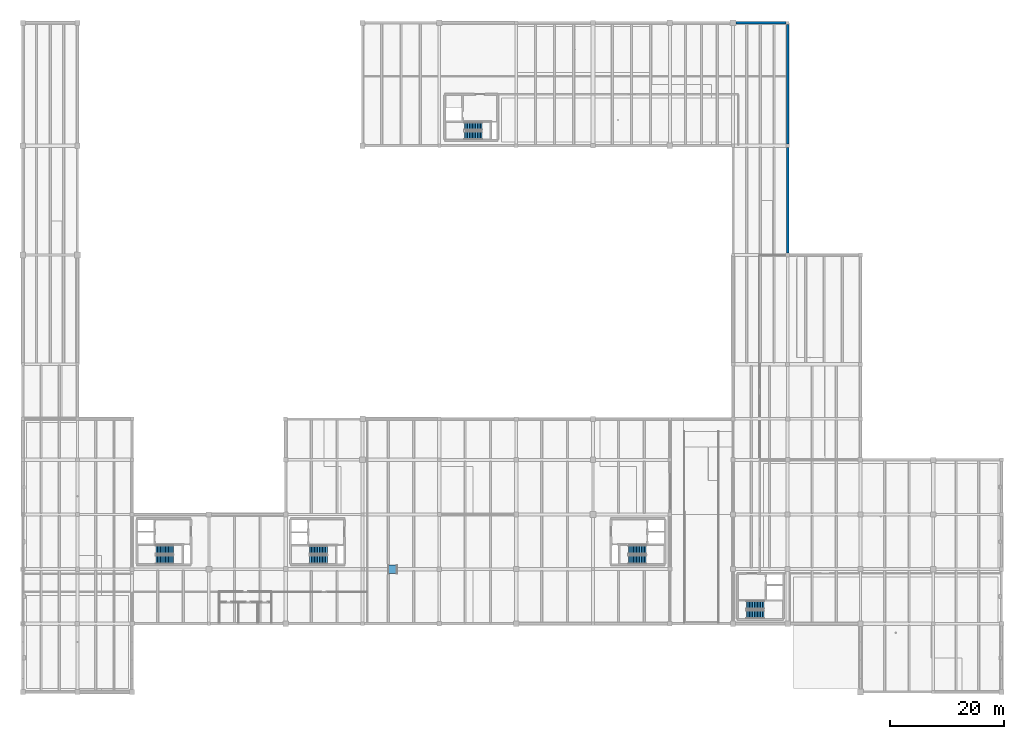
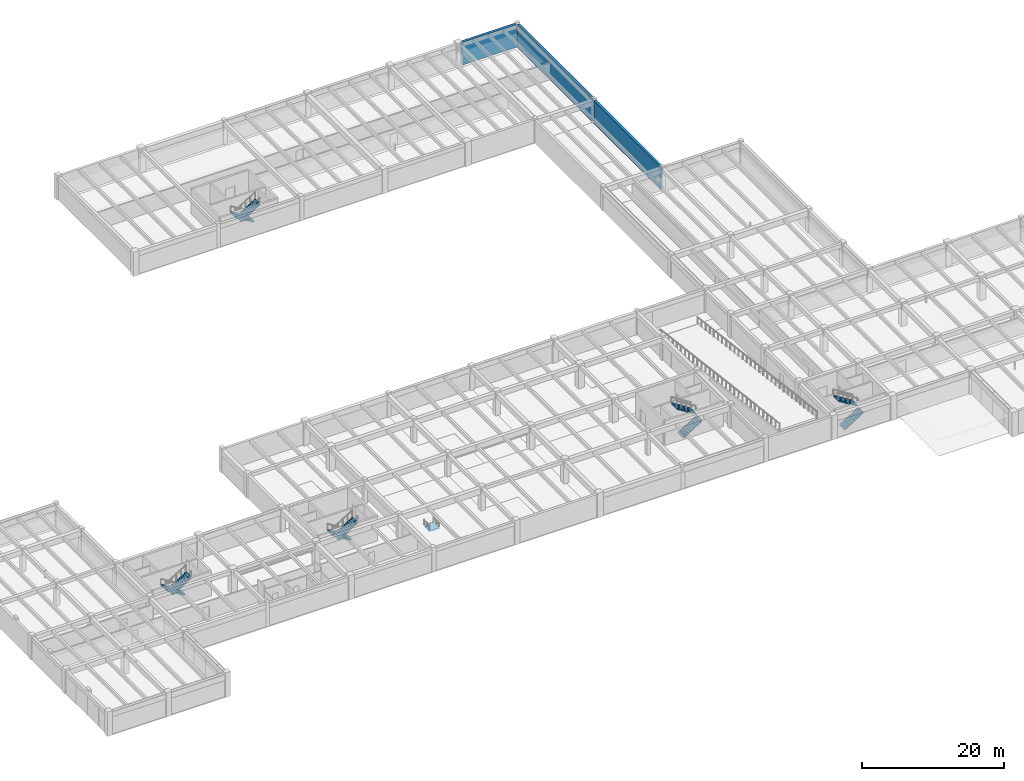
# One storey, part 15 of 28: 10 stair flights, 3 walls, 1 ramp flight, 6 elements without a shape of their own.
"""IFC4 building model written with IfcOpenShell, lengths in metres."""

import ifcopenshell
import ifcopenshell.guid

model = None  # the IFC model being written
_history = None  # IfcOwnerHistory: only IFC2X3 demands one
_inside = {}  # id of a spatial element -> (the spatial element, [elements in it])
_under = {}  # id of a project, library or spatial element -> (it, [spatial elements below it])
_declared = {}  # id of a project -> (the project, [libraries it declares])
_typed = {}  # id of a type object -> (the type object, [elements of that type])
_made_of = {}  # id of a material, layer set ... -> (it, [elements and type objects made of it])


def new_model(schema):
    """Start an empty IFC model of exactly this schema.

    Asked for "IFC4X3", IfcOpenShell would pick the latest addendum, in which some entities
    have other attributes; the version numbers below select the first issue.
    IFC2X3 requires an IfcOwnerHistory on every rooted entity: one is made here for all.
    """
    global model, _history
    if schema == "IFC4X3":
        model = ifcopenshell.file(schema_version=(4, 3, 0, 0))
    else:
        model = ifcopenshell.file(schema=schema)
    _inside.clear()
    _under.clear()
    _declared.clear()
    _typed.clear()
    _made_of.clear()
    _history = None
    if model.schema == "IFC2X3":
        org = make("IfcOrganization", Name="unknown")
        user = make(
            "IfcPersonAndOrganization",
            ThePerson=make("IfcPerson", FamilyName="unknown"),
            TheOrganization=org,
        )
        app = make(
            "IfcApplication",
            ApplicationDeveloper=org,
            Version="unknown",
            ApplicationFullName="unknown",
            ApplicationIdentifier="unknown",
        )
        _history = make(
            "IfcOwnerHistory",
            OwningUser=user,
            OwningApplication=app,
            ChangeAction="ADDED",
            CreationDate=0,
        )
    return model


def make(cls, **values):
    """One entity of the class cls with the attributes given. An attribute that is None is left unset."""
    return model.create_entity(
        cls, **{name: value for name, value in values.items() if value is not None}
    )


def rooted(cls, **values):
    """An entity with a GlobalId (a new one), such as an element, a storey or a relation."""
    return make(cls, GlobalId=ifcopenshell.guid.new(), OwnerHistory=_history, **values)


def si_unit(unit_type, name, prefix=None):
    """IfcSIUnit, for example si_unit("LENGTHUNIT", "METRE", prefix="MILLI")."""
    return make("IfcSIUnit", UnitType=unit_type, Prefix=prefix, Name=name)


def assignment(units):
    """IfcUnitAssignment: the units of a project."""
    return None if units is None else make("IfcUnitAssignment", Units=units)


def point(xyz):
    """IfcCartesianPoint."""
    return None if xyz is None else make("IfcCartesianPoint", Coordinates=xyz)


def direction(xyz):
    """IfcDirection."""
    return None if xyz is None else make("IfcDirection", DirectionRatios=xyz)


def frame(location, z_axis=None, x_axis=None):
    """IfcAxis2Placement3D, a coordinate frame: its origin and axes. An axis left out is left unset."""
    return make(
        "IfcAxis2Placement3D",
        Location=point(location),
        Axis=direction(z_axis),
        RefDirection=direction(x_axis),
    )


def frame_2d(location, x_axis=None):
    """IfcAxis2Placement2D, a coordinate frame in the plane: its origin and x axis."""
    return make(
        "IfcAxis2Placement2D", Location=point(location), RefDirection=direction(x_axis)
    )


def origin():
    """The frame at (0, 0, 0) with its axes left unset."""
    return frame((0.0, 0.0, 0.0))


def place(relative_to, where):
    """IfcLocalPlacement: puts the frame where relative to a parent placement (None: the world)."""
    return make(
        "IfcLocalPlacement", PlacementRelTo=relative_to, RelativePlacement=where
    )


def context(
    kind, dimensions, precision=None, world=None, true_north=None, identifier=None
):
    """IfcGeometricRepresentationContext, for example the 3D "Model" context."""
    return make(
        "IfcGeometricRepresentationContext",
        ContextIdentifier=identifier,
        ContextType=kind,
        CoordinateSpaceDimension=dimensions,
        Precision=precision,
        WorldCoordinateSystem=world,
        TrueNorth=true_north,
    )


def subcontext(parent, identifier, kind, view, scale=None):
    """IfcGeometricRepresentationSubContext, for example "Body" below "Model"."""
    return make(
        "IfcGeometricRepresentationSubContext",
        ContextIdentifier=identifier,
        ContextType=kind,
        ParentContext=parent,
        TargetScale=scale,
        TargetView=view,
    )


def project(units=None, contexts=None):
    """IfcProject with its units and contexts."""
    return rooted(
        "IfcProject",
        Name="project",
        RepresentationContexts=contexts,
        UnitsInContext=assignment(units),
    )


def spatial(cls, under=None, at=None, **own):
    """A site, building, storey or space (cls), placed at a placement, below another one or the project."""
    s = rooted(cls, ObjectPlacement=at, **own)
    if under is not None:
        _under.setdefault(under.id(), (under, []))[1].append(s)
    return s


def polyline(points):
    """IfcPolyline through the points."""
    return make("IfcPolyline", Points=[point(p) for p in points])


def profile(cls, at=None, kind="AREA", **sizes):
    """A parametric profile (cls). Its sizes go by their IFC names, for example OverallWidth=200.0."""
    return make(cls, ProfileType=kind, Position=at, **sizes)


def rectangle(**sizes):
    """IfcRectangleProfileDef."""
    return profile("IfcRectangleProfileDef", **sizes)


def outline(outer, holes=None, kind="AREA"):
    """IfcArbitraryClosedProfileDef: a profile drawn as a closed curve; with holes, ...WithVoids."""
    if holes is None:
        return make("IfcArbitraryClosedProfileDef", ProfileType=kind, OuterCurve=outer)
    return make(
        "IfcArbitraryProfileDefWithVoids",
        ProfileType=kind,
        OuterCurve=outer,
        InnerCurves=holes,
    )


def extrude(swept, where, along, depth):
    """IfcExtrudedAreaSolid: the profile swept, set in the frame where, extruded along a direction by depth."""
    return make(
        "IfcExtrudedAreaSolid",
        SweptArea=swept,
        Position=where,
        ExtrudedDirection=direction(along),
        Depth=depth,
    )


def shape(context_of_items, identifier, shape_type, items):
    """IfcShapeRepresentation: the items that make up one representation, for example the "Body"."""
    return make(
        "IfcShapeRepresentation",
        ContextOfItems=context_of_items,
        RepresentationIdentifier=identifier,
        RepresentationType=shape_type,
        Items=items,
    )


def material(Name=None, Category=None):
    """IfcMaterial."""
    return make("IfcMaterial", Name=Name, Category=Category)


def layer(
    of_material, thickness, ventilated=None, Name=None, Category=None, Priority=None
):
    """IfcMaterialLayer: one layer of a wall or slab, of a material (None: an air gap)."""
    return make(
        "IfcMaterialLayer",
        Material=of_material,
        LayerThickness=thickness,
        IsVentilated=ventilated,
        Name=Name,
        Category=Category,
        Priority=Priority,
    )


def layer_set(layers, Name=None):
    """IfcMaterialLayerSet."""
    return make("IfcMaterialLayerSet", MaterialLayers=layers, LayerSetName=Name)


def made_of(thing, what):
    """Note that an element or type object is made of a material, layer set ...; save() writes the relation."""
    if what is not None:
        _made_of.setdefault(what.id(), (what, []))[1].append(thing)
    return thing


def type_object(cls, material=None, **own):
    """A type object (cls), such as IfcWallType, which elements share."""
    return made_of(rooted(cls, **own), material)


def element(
    cls,
    number,
    at=None,
    inside=None,
    cuts=None,
    type_object=None,
    material=None,
    context=None,
    identifier="Body",
    shape_type=None,
    held_by="IfcProductDefinitionShape",
    body=None,
    shapes=None,
    **own,
):
    """One element of the class cls, such as IfcWall. Its Tag is "e" and its number.

    at: its placement. inside: the storey or other place that contains it. cuts: it is an
    opening in that element (IfcRelVoidsElement). A single representation is given by context,
    identifier, shape_type and body (its items); several are given by shapes. held_by: the class
    of the entity that holds the representations. save() writes the other relations.
    """
    e = rooted(cls, Tag="e%d" % number, ObjectPlacement=at, **own)
    if body is not None:
        shapes = [shape(context, identifier, shape_type, body)]
    if shapes is not None:
        e.Representation = make(held_by, Representations=shapes)
    if inside is not None:
        _inside.setdefault(inside.id(), (inside, []))[1].append(e)
    if cuts is not None:
        rooted(
            "IfcRelVoidsElement", RelatingBuildingElement=cuts, RelatedOpeningElement=e
        )
    if type_object is not None:
        _typed.setdefault(type_object.id(), (type_object, []))[1].append(e)
    return made_of(e, material)


def aggregate(whole, parts):
    """IfcRelAggregates: a whole, such as a stair, and the parts it consists of."""
    return rooted("IfcRelAggregates", RelatingObject=whole, RelatedObjects=parts)


def save(model, path):
    """Write the relations noted so far, then the file.

    IfcRelAggregates (storeys below a building ...), IfcRelContainedInSpatialStructure (elements
    in a storey), IfcRelDefinesByType, IfcRelAssociatesMaterial and IfcRelDeclares: one each for
    every whole, place, type object, material and project.
    """
    for whole, parts in _under.values():
        aggregate(whole, parts)
    for where, things in _inside.values():
        rooted(
            "IfcRelContainedInSpatialStructure",
            RelatedElements=things,
            RelatingStructure=where,
        )
    for kind, things in _typed.values():
        rooted("IfcRelDefinesByType", RelatedObjects=things, RelatingType=kind)
    for what, things in _made_of.values():
        rooted("IfcRelAssociatesMaterial", RelatedObjects=things, RelatingMaterial=what)
    for by, libraries in _declared.values():
        rooted("IfcRelDeclares", RelatingContext=by, RelatedDefinitions=libraries)
    model.write(path)


model = new_model("IFC4")

# Units and contexts
model_context = context("Model", 3, precision=1e-05, world=origin(), true_north=direction((0.0, 1.0)))
body_context = subcontext(model_context, "Body", "Model", "MODEL_VIEW")
ifc_project = project(units=[si_unit("LENGTHUNIT", "METRE"), si_unit("AREAUNIT", "SQUARE_METRE"), si_unit("VOLUMEUNIT", "CUBIC_METRE"), si_unit("PLANEANGLEUNIT", "RADIAN"), si_unit("MASSUNIT", "GRAM", prefix="KILO")], contexts=[model_context])

# Site, building, storey
site_placement = place(None, origin())
site = spatial("IfcSite", under=ifc_project, at=site_placement, CompositionType="ELEMENT")
building_placement = place(site_placement, origin())
building = spatial("IfcBuilding", under=site, at=building_placement, Name="Fikremerkos Civic Library", CompositionType="ELEMENT")
storey_placement = place(building_placement, frame((0.0, 0.0, -4.199951171875)))
storey = spatial("IfcBuildingStorey", under=building, at=storey_placement, Name="B01", CompositionType="ELEMENT", Elevation=-4.199951171875)

# Walls
ifc_material_1 = material(Name="Concrete C40/50", Category="concrete")
ifc_layer_1 = layer(ifc_material_1, 0.39990234375, Name="Concrete C40/50")
ifc_layer_set_1 = layer_set([ifc_layer_1], Name="Concrete C40/50")
wall_type = type_object("IfcWallType", Name="Basement retaining wall BRW-02 400", PredefinedType="USERDEFINED", material=ifc_layer_set_1)
wall_1_placement = place(storey_placement, frame((125.298095703125, 117.60009765625, 0.0), z_axis=(0.0, 0.0, 1.0), x_axis=(1.0, 0.0, 0.0)))
element("IfcWall", 1, at=wall_1_placement, inside=storey, type_object=wall_type, Name="Basement retaining wall BRW-02 B01 #130", ObjectType="RETAINING WALL", PredefinedType="USERDEFINED", context=body_context, shape_type="SweptSolid", body=[
    extrude(rectangle(XDim=8.828857421875, YDim=0.39990234375, at=frame_2d((4.41455078125, 0.0))), origin(), (0.0, 0.0, 1.0), 3.919921875),
])
wall_2_placement = place(storey_placement, frame((134.39990234375, 117.326904296875, 0.0), z_axis=(0.0, 0.0, 1.0), x_axis=(0.0, -1.0, 0.0)))
element("IfcWall", 2, at=wall_2_placement, inside=storey, type_object=wall_type, Name="Basement retaining wall BRW-02 B01 #131", ObjectType="RETAINING WALL", PredefinedType="USERDEFINED", context=body_context, shape_type="SweptSolid", body=[
    extrude(rectangle(XDim=21.02880859375, YDim=0.39990234375, at=frame_2d((10.514404296875, 0.0))), origin(), (0.0, 0.0, 1.0), 3.919921875),
])
wall_3_placement = place(storey_placement, frame((134.39990234375, 95.701904296875, 0.0), z_axis=(0.0, 0.0, 1.0), x_axis=(0.0, -1.0, 0.0)))
element("IfcWall", 3, at=wall_3_placement, inside=storey, type_object=wall_type, Name="Basement retaining wall BRW-02 B01 #132", ObjectType="RETAINING WALL", PredefinedType="USERDEFINED", context=body_context, shape_type="SweptSolid", body=[
    extrude(rectangle(XDim=18.578857421875, YDim=0.39990234375, at=frame_2d((9.28955078125, 0.0))), origin(), (0.0, 0.0, 1.0), 3.93994140625),
])

# Stair, stair flights
stair_type_1 = type_object("IfcStairType", Name="Half turn stair ST-HT-01 W1550 H4200", PredefinedType="HALF_TURN_STAIR", material=ifc_material_1)
stair_1_placement = place(storey_placement, origin())
stair_1 = element("IfcStair", 4, at=stair_1_placement, inside=storey, type_object=stair_type_1, Name="B01 ST-K1", PredefinedType="HALF_TURN_STAIR")
stair_flight_type_1 = type_object("IfcStairFlightType", Name="Straight stair flight SFL-01 W1550 H2100", PredefinedType="STRAIGHT", material=ifc_material_1)
stair_flight_1_placement = place(storey_placement, frame((26.449951171875, 25.02490234375, 0.0), z_axis=(0.0, 0.0, 1.0), x_axis=(-1.0, 0.0, 0.0)))
stair_flight_1 = element("IfcStairFlight", 5, at=stair_flight_1_placement, type_object=stair_flight_type_1, Name="ST-K1 flight 1", NumberOfRisers=12, NumberOfTreads=11, PredefinedType="STRAIGHT", RiserHeight=0.175, TreadLength=0.28, context=body_context, shape_type="SweptSolid", body=[
    extrude(outline(polyline([(-0.0048828125, 0.0), (-0.0048828125, 0.175048828125), (0.280029296875, 0.175048828125), (0.280029296875, 0.35009765625), (0.56005859375, 0.35009765625), (0.56005859375, 0.52490234375), (0.840087890625, 0.52490234375), (0.840087890625, 0.699951171875), (1.1201171875, 0.699951171875), (1.1201171875, 0.875), (1.39990234375, 0.875), (1.39990234375, 1.050048828125), (1.679931640625, 1.050048828125), (1.679931640625, 1.22509765625), (1.9599609375, 1.22509765625), (1.9599609375, 1.39990234375), (2.239990234375, 1.39990234375), (2.239990234375, 1.574951171875), (2.52001953125, 1.574951171875), (2.52001953125, 1.75), (2.800048828125, 1.75), (2.800048828125, 1.925048828125), (3.080078125, 1.925048828125), (3.080078125, 2.10009765625), (3.0849609375, 2.10009765625), (3.0849609375, 1.748291015625), (0.28271484375, 0.0), (-0.0048828125, 0.0)])), frame((0.0, 0.77490234375, 0.0), z_axis=(0.0, -1.0, 0.0), x_axis=(1.0, 0.0, 0.0)), (0.0, 0.0, 1.0), 1.550048828125),
])
stair_flight_2_placement = place(storey_placement, frame((23.3701171875, 23.27490234375, 2.099853515625), z_axis=(0.0, 0.0, 1.0), x_axis=(1.0, 0.0, 0.0)))
stair_flight_2 = element("IfcStairFlight", 6, at=stair_flight_2_placement, type_object=stair_flight_type_1, Name="ST-K1 flight 2", NumberOfRisers=12, NumberOfTreads=11, PredefinedType="STRAIGHT", RiserHeight=0.175, TreadLength=0.28, context=body_context, shape_type="SweptSolid", body=[
    extrude(outline(polyline([(-0.0048828125, 0.0), (-0.0048828125, 0.175048828125), (0.280029296875, 0.175048828125), (0.280029296875, 0.35009765625), (0.56005859375, 0.35009765625), (0.56005859375, 0.52490234375), (0.840087890625, 0.52490234375), (0.840087890625, 0.699951171875), (1.1201171875, 0.699951171875), (1.1201171875, 0.875), (1.39990234375, 0.875), (1.39990234375, 1.050048828125), (1.679931640625, 1.050048828125), (1.679931640625, 1.22509765625), (1.9599609375, 1.22509765625), (1.9599609375, 1.39990234375), (2.239990234375, 1.39990234375), (2.239990234375, 1.574951171875), (2.52001953125, 1.574951171875), (2.52001953125, 1.75), (2.800048828125, 1.75), (2.800048828125, 1.925048828125), (3.080078125, 1.925048828125), (3.080078125, 2.10009765625), (3.0849609375, 2.10009765625), (3.0849609375, 1.748291015625), (0.28271484375, 0.0), (-0.0048828125, 0.0)])), frame((0.0, 0.77490234375, 0.0), z_axis=(0.0, -1.0, 0.0), x_axis=(1.0, 0.0, 0.0)), (0.0, 0.0, 1.0), 1.550048828125),
])
aggregate(stair_1, [stair_flight_1, stair_flight_2])

stair_2_placement = place(storey_placement, origin())
stair_2 = element("IfcStair", 7, at=stair_2_placement, inside=storey, type_object=stair_type_1, Name="B01 ST-K2", PredefinedType="HALF_TURN_STAIR")
stair_flight_3_placement = place(storey_placement, frame((106.449951171875, 23.27490234375, 0.0), z_axis=(0.0, 0.0, 1.0), x_axis=(1.0, 0.0, 0.0)))
stair_flight_3 = element("IfcStairFlight", 8, at=stair_flight_3_placement, type_object=stair_flight_type_1, Name="ST-K2 flight 1", NumberOfRisers=12, NumberOfTreads=11, PredefinedType="STRAIGHT", RiserHeight=0.175, TreadLength=0.28, context=body_context, shape_type="SweptSolid", body=[
    extrude(outline(polyline([(-0.0048828125, 0.0), (-0.0048828125, 0.175048828125), (0.280029296875, 0.175048828125), (0.280029296875, 0.35009765625), (0.56005859375, 0.35009765625), (0.56005859375, 0.52490234375), (0.840087890625, 0.52490234375), (0.840087890625, 0.699951171875), (1.1201171875, 0.699951171875), (1.1201171875, 0.875), (1.39990234375, 0.875), (1.39990234375, 1.050048828125), (1.679931640625, 1.050048828125), (1.679931640625, 1.22509765625), (1.9599609375, 1.22509765625), (1.9599609375, 1.39990234375), (2.239990234375, 1.39990234375), (2.239990234375, 1.574951171875), (2.52001953125, 1.574951171875), (2.52001953125, 1.75), (2.800048828125, 1.75), (2.800048828125, 1.925048828125), (3.080078125, 1.925048828125), (3.080078125, 2.10009765625), (3.0849609375, 2.10009765625), (3.0849609375, 1.748291015625), (0.28271484375, 0.0), (-0.0048828125, 0.0)])), frame((0.0, 0.77490234375, 0.0), z_axis=(0.0, -1.0, 0.0), x_axis=(1.0, 0.0, 0.0)), (0.0, 0.0, 1.0), 1.550048828125),
])
stair_flight_4_placement = place(storey_placement, frame((109.530029296875, 25.02490234375, 2.099853515625), z_axis=(0.0, 0.0, 1.0), x_axis=(-1.0, 0.0, 0.0)))
stair_flight_4 = element("IfcStairFlight", 9, at=stair_flight_4_placement, type_object=stair_flight_type_1, Name="ST-K2 flight 2", NumberOfRisers=12, NumberOfTreads=11, PredefinedType="STRAIGHT", RiserHeight=0.175, TreadLength=0.28, context=body_context, shape_type="SweptSolid", body=[
    extrude(outline(polyline([(-0.0048828125, 0.0), (-0.0048828125, 0.175048828125), (0.280029296875, 0.175048828125), (0.280029296875, 0.35009765625), (0.56005859375, 0.35009765625), (0.56005859375, 0.52490234375), (0.840087890625, 0.52490234375), (0.840087890625, 0.699951171875), (1.1201171875, 0.699951171875), (1.1201171875, 0.875), (1.39990234375, 0.875), (1.39990234375, 1.050048828125), (1.679931640625, 1.050048828125), (1.679931640625, 1.22509765625), (1.9599609375, 1.22509765625), (1.9599609375, 1.39990234375), (2.239990234375, 1.39990234375), (2.239990234375, 1.574951171875), (2.52001953125, 1.574951171875), (2.52001953125, 1.75), (2.800048828125, 1.75), (2.800048828125, 1.925048828125), (3.080078125, 1.925048828125), (3.080078125, 2.10009765625), (3.0849609375, 2.10009765625), (3.0849609375, 1.748291015625), (0.28271484375, 0.0), (-0.0048828125, 0.0)])), frame((0.0, 0.77490234375, 0.0), z_axis=(0.0, -1.0, 0.0), x_axis=(1.0, 0.0, 0.0)), (0.0, 0.0, 1.0), 1.550048828125),
])
aggregate(stair_2, [stair_flight_3, stair_flight_4])

stair_type_2 = type_object("IfcStairType", Name="Half turn stair ST-HT-04 W1500 H4200", PredefinedType="HALF_TURN_STAIR", material=ifc_material_1)
stair_3_placement = place(storey_placement, origin())
stair_3 = element("IfcStair", 10, at=stair_3_placement, inside=storey, type_object=stair_type_2, Name="B01 ST-K3", PredefinedType="HALF_TURN_STAIR")
stair_flight_type_2 = type_object("IfcStairFlightType", Name="Straight stair flight SFL-04 W1500 H2100", PredefinedType="STRAIGHT", material=ifc_material_1)
stair_flight_5_placement = place(storey_placement, frame((53.5, 24.949951171875, 0.0), z_axis=(0.0, 0.0, 1.0), x_axis=(-1.0, 0.0, 0.0)))
stair_flight_5 = element("IfcStairFlight", 11, at=stair_flight_5_placement, type_object=stair_flight_type_2, Name="ST-K3 flight 1", NumberOfRisers=12, NumberOfTreads=11, PredefinedType="STRAIGHT", RiserHeight=0.175, TreadLength=0.28, context=body_context, shape_type="SweptSolid", body=[
    extrude(outline(polyline([(-0.0048828125, 0.0), (-0.0048828125, 0.175048828125), (0.280029296875, 0.175048828125), (0.280029296875, 0.35009765625), (0.56005859375, 0.35009765625), (0.56005859375, 0.52490234375), (0.840087890625, 0.52490234375), (0.840087890625, 0.699951171875), (1.1201171875, 0.699951171875), (1.1201171875, 0.875), (1.39990234375, 0.875), (1.39990234375, 1.050048828125), (1.679931640625, 1.050048828125), (1.679931640625, 1.22509765625), (1.9599609375, 1.22509765625), (1.9599609375, 1.39990234375), (2.239990234375, 1.39990234375), (2.239990234375, 1.574951171875), (2.52001953125, 1.574951171875), (2.52001953125, 1.75), (2.800048828125, 1.75), (2.800048828125, 1.925048828125), (3.080078125, 1.925048828125), (3.080078125, 2.10009765625), (3.0849609375, 2.10009765625), (3.0849609375, 1.748291015625), (0.28271484375, 0.0), (-0.0048828125, 0.0)])), frame((0.0, 0.75, 0.0), z_axis=(0.0, -1.0, 0.0), x_axis=(1.0, 0.0, 0.0)), (0.0, 0.0, 1.0), 1.5),
])
stair_flight_6_placement = place(storey_placement, frame((50.419921875, 23.25, 2.099853515625), z_axis=(0.0, 0.0, 1.0), x_axis=(1.0, 0.0, 0.0)))
stair_flight_6 = element("IfcStairFlight", 12, at=stair_flight_6_placement, type_object=stair_flight_type_2, Name="ST-K3 flight 2", NumberOfRisers=12, NumberOfTreads=11, PredefinedType="STRAIGHT", RiserHeight=0.175, TreadLength=0.28, context=body_context, shape_type="SweptSolid", body=[
    extrude(outline(polyline([(-0.0048828125, 0.0), (-0.0048828125, 0.175048828125), (0.280029296875, 0.175048828125), (0.280029296875, 0.35009765625), (0.56005859375, 0.35009765625), (0.56005859375, 0.52490234375), (0.840087890625, 0.52490234375), (0.840087890625, 0.699951171875), (1.1201171875, 0.699951171875), (1.1201171875, 0.875), (1.39990234375, 0.875), (1.39990234375, 1.050048828125), (1.679931640625, 1.050048828125), (1.679931640625, 1.22509765625), (1.9599609375, 1.22509765625), (1.9599609375, 1.39990234375), (2.239990234375, 1.39990234375), (2.239990234375, 1.574951171875), (2.52001953125, 1.574951171875), (2.52001953125, 1.75), (2.800048828125, 1.75), (2.800048828125, 1.925048828125), (3.080078125, 1.925048828125), (3.080078125, 2.10009765625), (3.0849609375, 2.10009765625), (3.0849609375, 1.748291015625), (0.28271484375, 0.0), (-0.0048828125, 0.0)])), frame((0.0, 0.75, 0.0), z_axis=(0.0, -1.0, 0.0), x_axis=(1.0, 0.0, 0.0)), (0.0, 0.0, 1.0), 1.5),
])
aggregate(stair_3, [stair_flight_5, stair_flight_6])

stair_type_3 = type_object("IfcStairType", Name="Half turn stair ST-HT-07 W1450 H4200", PredefinedType="HALF_TURN_STAIR", material=ifc_material_1)
stair_4_placement = place(storey_placement, origin())
stair_4 = element("IfcStair", 13, at=stair_4_placement, inside=storey, type_object=stair_type_3, Name="B01 ST-K4", PredefinedType="HALF_TURN_STAIR")
stair_flight_type_3 = type_object("IfcStairFlightType", Name="Straight stair flight SFL-07 W1450 H2100", PredefinedType="STRAIGHT", material=ifc_material_1)
stair_flight_7_placement = place(storey_placement, frame((127.14990234375, 13.625, 0.0), z_axis=(0.0, 0.0, 1.0), x_axis=(1.0, 0.0, 0.0)))
stair_flight_7 = element("IfcStairFlight", 14, at=stair_flight_7_placement, type_object=stair_flight_type_3, Name="ST-K4 flight 1", NumberOfRisers=12, NumberOfTreads=11, PredefinedType="STRAIGHT", RiserHeight=0.175, TreadLength=0.28, context=body_context, shape_type="SweptSolid", body=[
    extrude(outline(polyline([(-0.0048828125, 0.0), (-0.0048828125, 0.175048828125), (0.280029296875, 0.175048828125), (0.280029296875, 0.35009765625), (0.56005859375, 0.35009765625), (0.56005859375, 0.52490234375), (0.840087890625, 0.52490234375), (0.840087890625, 0.699951171875), (1.1201171875, 0.699951171875), (1.1201171875, 0.875), (1.39990234375, 0.875), (1.39990234375, 1.050048828125), (1.679931640625, 1.050048828125), (1.679931640625, 1.22509765625), (1.9599609375, 1.22509765625), (1.9599609375, 1.39990234375), (2.239990234375, 1.39990234375), (2.239990234375, 1.574951171875), (2.52001953125, 1.574951171875), (2.52001953125, 1.75), (2.800048828125, 1.75), (2.800048828125, 1.925048828125), (3.080078125, 1.925048828125), (3.080078125, 2.10009765625), (3.0849609375, 2.10009765625), (3.0849609375, 1.748291015625), (0.28271484375, 0.0), (-0.0048828125, 0.0)])), frame((0.0, 0.72509765625, 0.0), z_axis=(0.0, -1.0, 0.0), x_axis=(1.0, 0.0, 0.0)), (0.0, 0.0, 1.0), 1.449951171875),
])
stair_flight_8_placement = place(storey_placement, frame((130.22998046875, 15.27490234375, 2.099853515625), z_axis=(0.0, 0.0, 1.0), x_axis=(-1.0, 0.0, 0.0)))
stair_flight_8 = element("IfcStairFlight", 15, at=stair_flight_8_placement, type_object=stair_flight_type_3, Name="ST-K4 flight 2", NumberOfRisers=12, NumberOfTreads=11, PredefinedType="STRAIGHT", RiserHeight=0.175, TreadLength=0.28, context=body_context, shape_type="SweptSolid", body=[
    extrude(outline(polyline([(-0.0048828125, 0.0), (-0.0048828125, 0.175048828125), (0.280029296875, 0.175048828125), (0.280029296875, 0.35009765625), (0.56005859375, 0.35009765625), (0.56005859375, 0.52490234375), (0.840087890625, 0.52490234375), (0.840087890625, 0.699951171875), (1.1201171875, 0.699951171875), (1.1201171875, 0.875), (1.39990234375, 0.875), (1.39990234375, 1.050048828125), (1.679931640625, 1.050048828125), (1.679931640625, 1.22509765625), (1.9599609375, 1.22509765625), (1.9599609375, 1.39990234375), (2.239990234375, 1.39990234375), (2.239990234375, 1.574951171875), (2.52001953125, 1.574951171875), (2.52001953125, 1.75), (2.800048828125, 1.75), (2.800048828125, 1.925048828125), (3.080078125, 1.925048828125), (3.080078125, 2.10009765625), (3.0849609375, 2.10009765625), (3.0849609375, 1.748291015625), (0.28271484375, 0.0), (-0.0048828125, 0.0)])), frame((0.0, 0.72509765625, 0.0), z_axis=(0.0, -1.0, 0.0), x_axis=(1.0, 0.0, 0.0)), (0.0, 0.0, 1.0), 1.449951171875),
])
aggregate(stair_4, [stair_flight_7, stair_flight_8])

stair_type_4 = type_object("IfcStairType", Name="Half turn stair ST-HT-10 W1400 H4200", PredefinedType="HALF_TURN_STAIR", material=ifc_material_1)
stair_5_placement = place(storey_placement, origin())
stair_5 = element("IfcStair", 16, at=stair_5_placement, inside=storey, type_object=stair_type_4, Name="B01 ST-K5", PredefinedType="HALF_TURN_STAIR")
stair_flight_type_4 = type_object("IfcStairFlightType", Name="Straight stair flight SFL-10 W1400 H2100", PredefinedType="STRAIGHT", material=ifc_material_1)
stair_flight_9_placement = place(storey_placement, frame((80.699951171875, 99.39990234375, 0.0), z_axis=(0.0, 0.0, 1.0), x_axis=(-1.0, 0.0, 0.0)))
stair_flight_9 = element("IfcStairFlight", 17, at=stair_flight_9_placement, type_object=stair_flight_type_4, Name="ST-K5 flight 1", NumberOfRisers=12, NumberOfTreads=11, PredefinedType="STRAIGHT", RiserHeight=0.175, TreadLength=0.28, context=body_context, shape_type="SweptSolid", body=[
    extrude(outline(polyline([(-0.0048828125, 0.0), (-0.0048828125, 0.175048828125), (0.280029296875, 0.175048828125), (0.280029296875, 0.35009765625), (0.56005859375, 0.35009765625), (0.56005859375, 0.52490234375), (0.840087890625, 0.52490234375), (0.840087890625, 0.699951171875), (1.1201171875, 0.699951171875), (1.1201171875, 0.875), (1.39990234375, 0.875), (1.39990234375, 1.050048828125), (1.679931640625, 1.050048828125), (1.679931640625, 1.22509765625), (1.9599609375, 1.22509765625), (1.9599609375, 1.39990234375), (2.239990234375, 1.39990234375), (2.239990234375, 1.574951171875), (2.52001953125, 1.574951171875), (2.52001953125, 1.75), (2.800048828125, 1.75), (2.800048828125, 1.925048828125), (3.080078125, 1.925048828125), (3.080078125, 2.10009765625), (3.0849609375, 2.10009765625), (3.0849609375, 1.748291015625), (0.28271484375, 0.0), (-0.0048828125, 0.0)])), frame((0.0, 0.699951171875, 0.0), z_axis=(0.0, -1.0, 0.0), x_axis=(1.0, 0.0, 0.0)), (0.0, 0.0, 1.0), 1.39990234375),
])
stair_flight_10_placement = place(storey_placement, frame((77.6201171875, 97.800048828125, 2.099853515625), z_axis=(0.0, 0.0, 1.0), x_axis=(1.0, 0.0, 0.0)))
stair_flight_10 = element("IfcStairFlight", 18, at=stair_flight_10_placement, type_object=stair_flight_type_4, Name="ST-K5 flight 2", NumberOfRisers=12, NumberOfTreads=11, PredefinedType="STRAIGHT", RiserHeight=0.175, TreadLength=0.28, context=body_context, shape_type="SweptSolid", body=[
    extrude(outline(polyline([(-0.0048828125, 0.0), (-0.0048828125, 0.175048828125), (0.280029296875, 0.175048828125), (0.280029296875, 0.35009765625), (0.56005859375, 0.35009765625), (0.56005859375, 0.52490234375), (0.840087890625, 0.52490234375), (0.840087890625, 0.699951171875), (1.1201171875, 0.699951171875), (1.1201171875, 0.875), (1.39990234375, 0.875), (1.39990234375, 1.050048828125), (1.679931640625, 1.050048828125), (1.679931640625, 1.22509765625), (1.9599609375, 1.22509765625), (1.9599609375, 1.39990234375), (2.239990234375, 1.39990234375), (2.239990234375, 1.574951171875), (2.52001953125, 1.574951171875), (2.52001953125, 1.75), (2.800048828125, 1.75), (2.800048828125, 1.925048828125), (3.080078125, 1.925048828125), (3.080078125, 2.10009765625), (3.0849609375, 2.10009765625), (3.0849609375, 1.748291015625), (0.28271484375, 0.0), (-0.0048828125, 0.0)])), frame((0.0, 0.699951171875, 0.0), z_axis=(0.0, -1.0, 0.0), x_axis=(1.0, 0.0, 0.0)), (0.0, 0.0, 1.0), 1.39990234375),
])
aggregate(stair_5, [stair_flight_9, stair_flight_10])

# Ramp, ramp flight
ifc_material_2 = material(Name="Concrete C35/45", Category="concrete")
ifc_layer_2 = layer(ifc_material_2, 0.179931640625, Name="Concrete C35/45")
ifc_layer_set_2 = layer_set([ifc_layer_2], Name="Concrete C35/45")
ramp_type = type_object("IfcRampType", Name="Accessible threshold ramp RMP-A1 1650", PredefinedType="STRAIGHT_RUN_RAMP", material=ifc_layer_set_2)
ramp_placement = place(storey_placement, origin())
ramp = element("IfcRamp", 19, at=ramp_placement, inside=storey, type_object=ramp_type, Name="Basement car park accessible kerb ramp RMP-06", PredefinedType="STRAIGHT_RUN_RAMP")
ifc_layer_3 = layer(ifc_material_2, 0.179931640625, Name="Concrete C35/45")
ifc_layer_set_3 = layer_set([ifc_layer_3], Name="Concrete C35/45")
ramp_flight_type = type_object("IfcRampFlightType", Name="Accessible ramp flight RMF-A1 1650", PredefinedType="STRAIGHT", material=ifc_layer_set_3)
ramp_flight_placement = place(storey_placement, frame((65.0, 20.800048828125, -0.10009765625), z_axis=(0.0, 0.0, 1.0), x_axis=(0.0, 1.0, 0.0)))
ramp_flight = element("IfcRampFlight", 20, at=ramp_flight_placement, type_object=ramp_flight_type, Name="Basement car park accessible kerb ramp flight RMP-06", PredefinedType="STRAIGHT", context=body_context, shape_type="SweptSolid", body=[
    extrude(outline(polyline([(0.0, 0.0), (1.5, 0.10009765625), (1.5, -0.080322265625), (0.0, -0.180419921875), (0.0, 0.0)])), frame((0.0, 0.824951171875, 0.0), z_axis=(0.0, -1.0, 0.0), x_axis=(1.0, 0.0, 0.0)), (0.0, 0.0, 1.0), 1.64990234375),
])
aggregate(ramp, [ramp_flight])

save(model, "model.ifc")
